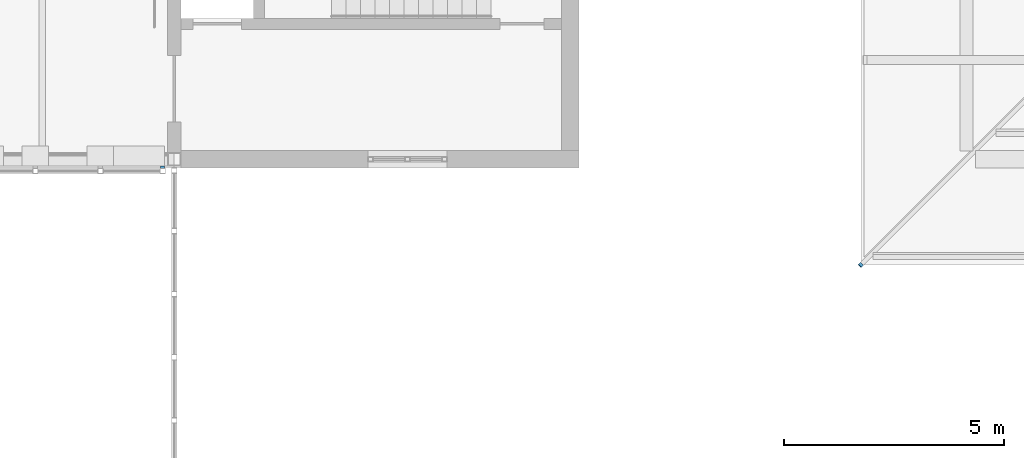
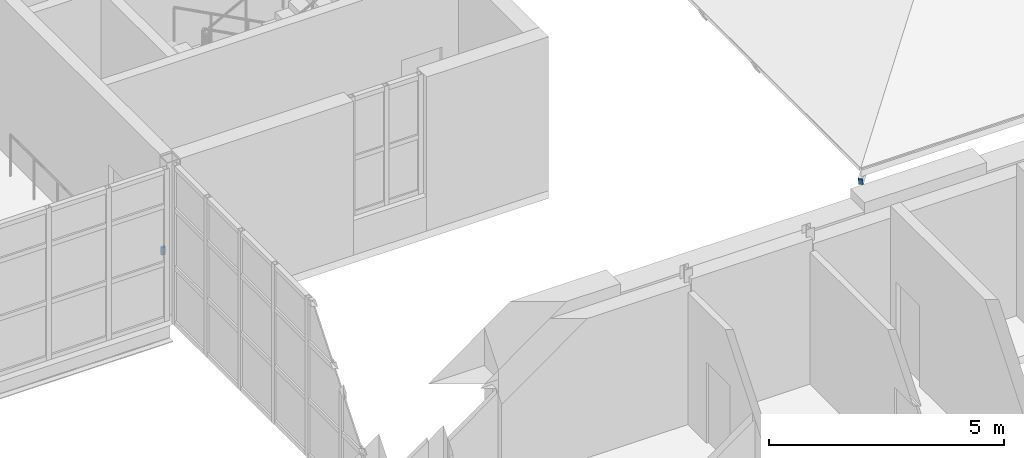
# One storey, part 128 of 154: 2 discrete accessories.
"""IFC4 building model written with IfcOpenShell, lengths in metres."""

from ifc_helpers import new_model, si_unit, direction, frame, origin, origin_2d, place, context, subcontext, project, spatial, rectangle, extrude, material, material_profile, profile_set, type_object, element, save


model = new_model("IFC4")

# Units and contexts
model_context = context("Model", 3, precision=1e-05, world=origin(), true_north=direction((0.0, 1.0)))
body_context = subcontext(model_context, "Body", "Model", "MODEL_VIEW")
ifc_project = project(units=[si_unit("LENGTHUNIT", "METRE"), si_unit("AREAUNIT", "SQUARE_METRE"), si_unit("VOLUMEUNIT", "CUBIC_METRE"), si_unit("PLANEANGLEUNIT", "RADIAN"), si_unit("MASSUNIT", "GRAM", prefix="KILO")], contexts=[model_context])

# Site, building, storey
site_placement = place(None, origin())
site = spatial("IfcSite", under=ifc_project, at=site_placement, CompositionType="ELEMENT")
building_placement = place(site_placement, origin())
building = spatial("IfcBuilding", under=site, at=building_placement, Name="Golden Quay Civic Hall", CompositionType="ELEMENT")
storey_placement = place(building_placement, frame((0.0, 0.0, 14.39990234375)))
storey = spatial("IfcBuildingStorey", under=building, at=storey_placement, Name="L03", CompositionType="ELEMENT", Elevation=14.39990234375)

# Discrete accessories
ifc_material_1 = material(Name="Steel S355", Category="steel")
discrete_accessory_type_1 = type_object("IfcDiscreteAccessoryType", Name="Hall screen bracket 100 x 200", PredefinedType="BRACKET", material=ifc_material_1)
discrete_accessory_1_placement = place(storey_placement, frame((98.735107421875, 62.820068359375, 1.64990234375), z_axis=(0.0, 0.0, 1.0), x_axis=(1.0, 0.0, 0.0)))
element("IfcDiscreteAccessory", 1, at=discrete_accessory_1_placement, inside=storey, type_object=discrete_accessory_type_1, Name="Hall screen bracket 18", PredefinedType="BRACKET", context=body_context, shape_type="SweptSolid", body=[
    extrude(rectangle(XDim=0.090087890625, YDim=0.06005859375, at=origin_2d()), origin(), (0.0, 0.0, 1.0), 0.199951171875),
])
ifc_material_2 = material(Name="Steel S355", Category="steel")
ifc_material_profile = material_profile(ifc_material_2, rectangle(XDim=0.10009765625, YDim=0.199951171875, at=origin_2d()), Name="Steel end cap plate 100x200x16")
ifc_profile_set = profile_set([ifc_material_profile], Name="Steel S355")
discrete_accessory_type_2 = type_object("IfcDiscreteAccessoryType", Name="Steel end cap plate 100x200x16", PredefinedType="BRACKET", material=ifc_profile_set)
discrete_accessory_2_placement = place(storey_placement, frame((114.60009765625, 60.60009765625, -0.663818359375), z_axis=(-0.669981710718, -0.669981710718, -0.319763998297), x_axis=(0.707106781187, -0.707106781187, 0.0)))
element("IfcDiscreteAccessory", 2, at=discrete_accessory_2_placement, inside=storey, type_object=discrete_accessory_type_2, Name="End cap hip rafter south-west", PredefinedType="BRACKET", context=body_context, shape_type="SweptSolid", body=[
    extrude(rectangle(XDim=0.10009765625, YDim=0.199951171875, at=origin_2d()), origin(), (0.0, 0.0, 1.0), 0.01611328125),
])

save(model, "model.ifc")
